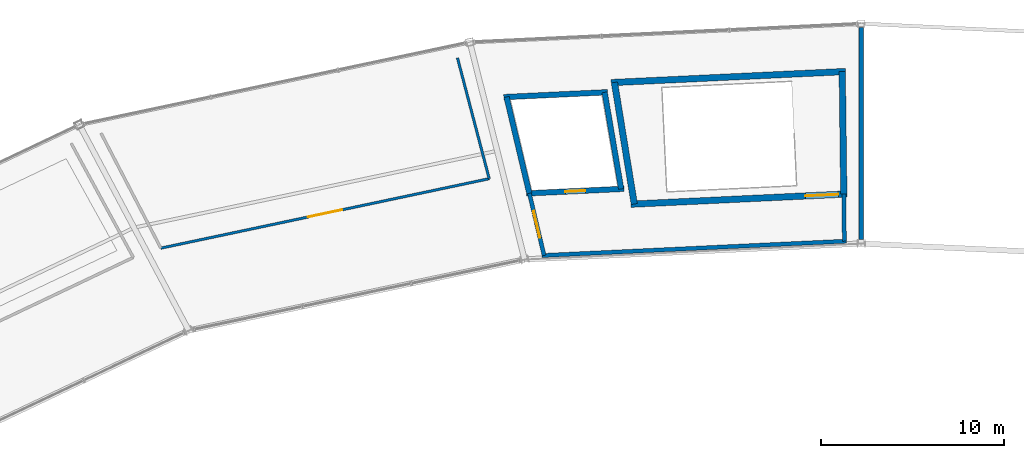
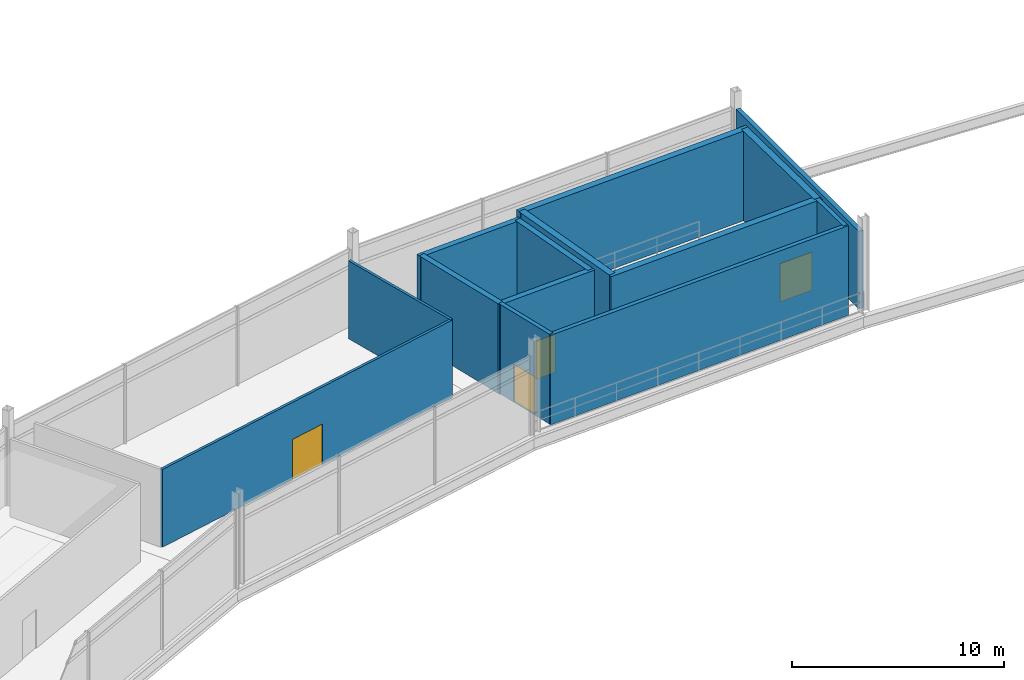
# One storey, part 72 of 86: 14 walls, 4 doors, 4 openings.
"""IFC4 building model written with IfcOpenShell, lengths in metres."""

import ifcopenshell
import ifcopenshell.guid

model = None  # the IFC model being written
_history = None  # IfcOwnerHistory: only IFC2X3 demands one
_inside = {}  # id of a spatial element -> (the spatial element, [elements in it])
_under = {}  # id of a project, library or spatial element -> (it, [spatial elements below it])
_declared = {}  # id of a project -> (the project, [libraries it declares])
_typed = {}  # id of a type object -> (the type object, [elements of that type])
_made_of = {}  # id of a material, layer set ... -> (it, [elements and type objects made of it])


def new_model(schema):
    """Start an empty IFC model of exactly this schema.

    Asked for "IFC4X3", IfcOpenShell would pick the latest addendum, in which some entities
    have other attributes; the version numbers below select the first issue.
    IFC2X3 requires an IfcOwnerHistory on every rooted entity: one is made here for all.
    """
    global model, _history
    if schema == "IFC4X3":
        model = ifcopenshell.file(schema_version=(4, 3, 0, 0))
    else:
        model = ifcopenshell.file(schema=schema)
    _inside.clear()
    _under.clear()
    _declared.clear()
    _typed.clear()
    _made_of.clear()
    _history = None
    if model.schema == "IFC2X3":
        org = make("IfcOrganization", Name="unknown")
        user = make(
            "IfcPersonAndOrganization",
            ThePerson=make("IfcPerson", FamilyName="unknown"),
            TheOrganization=org,
        )
        app = make(
            "IfcApplication",
            ApplicationDeveloper=org,
            Version="unknown",
            ApplicationFullName="unknown",
            ApplicationIdentifier="unknown",
        )
        _history = make(
            "IfcOwnerHistory",
            OwningUser=user,
            OwningApplication=app,
            ChangeAction="ADDED",
            CreationDate=0,
        )
    return model


def make(cls, **values):
    """One entity of the class cls with the attributes given. An attribute that is None is left unset."""
    return model.create_entity(
        cls, **{name: value for name, value in values.items() if value is not None}
    )


def rooted(cls, **values):
    """An entity with a GlobalId (a new one), such as an element, a storey or a relation."""
    return make(cls, GlobalId=ifcopenshell.guid.new(), OwnerHistory=_history, **values)


def si_unit(unit_type, name, prefix=None):
    """IfcSIUnit, for example si_unit("LENGTHUNIT", "METRE", prefix="MILLI")."""
    return make("IfcSIUnit", UnitType=unit_type, Prefix=prefix, Name=name)


def assignment(units):
    """IfcUnitAssignment: the units of a project."""
    return None if units is None else make("IfcUnitAssignment", Units=units)


def point(xyz):
    """IfcCartesianPoint."""
    return None if xyz is None else make("IfcCartesianPoint", Coordinates=xyz)


def direction(xyz):
    """IfcDirection."""
    return None if xyz is None else make("IfcDirection", DirectionRatios=xyz)


def frame(location, z_axis=None, x_axis=None):
    """IfcAxis2Placement3D, a coordinate frame: its origin and axes. An axis left out is left unset."""
    return make(
        "IfcAxis2Placement3D",
        Location=point(location),
        Axis=direction(z_axis),
        RefDirection=direction(x_axis),
    )


def frame_2d(location, x_axis=None):
    """IfcAxis2Placement2D, a coordinate frame in the plane: its origin and x axis."""
    return make(
        "IfcAxis2Placement2D", Location=point(location), RefDirection=direction(x_axis)
    )


def origin():
    """The frame at (0, 0, 0) with its axes left unset."""
    return frame((0.0, 0.0, 0.0))


def place(relative_to, where):
    """IfcLocalPlacement: puts the frame where relative to a parent placement (None: the world)."""
    return make(
        "IfcLocalPlacement", PlacementRelTo=relative_to, RelativePlacement=where
    )


def context(
    kind, dimensions, precision=None, world=None, true_north=None, identifier=None
):
    """IfcGeometricRepresentationContext, for example the 3D "Model" context."""
    return make(
        "IfcGeometricRepresentationContext",
        ContextIdentifier=identifier,
        ContextType=kind,
        CoordinateSpaceDimension=dimensions,
        Precision=precision,
        WorldCoordinateSystem=world,
        TrueNorth=true_north,
    )


def subcontext(parent, identifier, kind, view, scale=None):
    """IfcGeometricRepresentationSubContext, for example "Body" below "Model"."""
    return make(
        "IfcGeometricRepresentationSubContext",
        ContextIdentifier=identifier,
        ContextType=kind,
        ParentContext=parent,
        TargetScale=scale,
        TargetView=view,
    )


def project(units=None, contexts=None):
    """IfcProject with its units and contexts."""
    return rooted(
        "IfcProject",
        Name="project",
        RepresentationContexts=contexts,
        UnitsInContext=assignment(units),
    )


def spatial(cls, under=None, at=None, **own):
    """A site, building, storey or space (cls), placed at a placement, below another one or the project."""
    s = rooted(cls, ObjectPlacement=at, **own)
    if under is not None:
        _under.setdefault(under.id(), (under, []))[1].append(s)
    return s


def profile(cls, at=None, kind="AREA", **sizes):
    """A parametric profile (cls). Its sizes go by their IFC names, for example OverallWidth=200.0."""
    return make(cls, ProfileType=kind, Position=at, **sizes)


def rectangle(**sizes):
    """IfcRectangleProfileDef."""
    return profile("IfcRectangleProfileDef", **sizes)


def extrude(swept, where, along, depth):
    """IfcExtrudedAreaSolid: the profile swept, set in the frame where, extruded along a direction by depth."""
    return make(
        "IfcExtrudedAreaSolid",
        SweptArea=swept,
        Position=where,
        ExtrudedDirection=direction(along),
        Depth=depth,
    )


def shape(context_of_items, identifier, shape_type, items):
    """IfcShapeRepresentation: the items that make up one representation, for example the "Body"."""
    return make(
        "IfcShapeRepresentation",
        ContextOfItems=context_of_items,
        RepresentationIdentifier=identifier,
        RepresentationType=shape_type,
        Items=items,
    )


def material(Name=None, Category=None):
    """IfcMaterial."""
    return make("IfcMaterial", Name=Name, Category=Category)


def layer(
    of_material, thickness, ventilated=None, Name=None, Category=None, Priority=None
):
    """IfcMaterialLayer: one layer of a wall or slab, of a material (None: an air gap)."""
    return make(
        "IfcMaterialLayer",
        Material=of_material,
        LayerThickness=thickness,
        IsVentilated=ventilated,
        Name=Name,
        Category=Category,
        Priority=Priority,
    )


def layer_set(layers, Name=None):
    """IfcMaterialLayerSet."""
    return make("IfcMaterialLayerSet", MaterialLayers=layers, LayerSetName=Name)


def made_of(thing, what):
    """Note that an element or type object is made of a material, layer set ...; save() writes the relation."""
    if what is not None:
        _made_of.setdefault(what.id(), (what, []))[1].append(thing)
    return thing


def type_object(cls, material=None, **own):
    """A type object (cls), such as IfcWallType, which elements share."""
    return made_of(rooted(cls, **own), material)


def element(
    cls,
    number,
    at=None,
    inside=None,
    cuts=None,
    type_object=None,
    material=None,
    context=None,
    identifier="Body",
    shape_type=None,
    held_by="IfcProductDefinitionShape",
    body=None,
    shapes=None,
    **own,
):
    """One element of the class cls, such as IfcWall. Its Tag is "e" and its number.

    at: its placement. inside: the storey or other place that contains it. cuts: it is an
    opening in that element (IfcRelVoidsElement). A single representation is given by context,
    identifier, shape_type and body (its items); several are given by shapes. held_by: the class
    of the entity that holds the representations. save() writes the other relations.
    """
    e = rooted(cls, Tag="e%d" % number, ObjectPlacement=at, **own)
    if body is not None:
        shapes = [shape(context, identifier, shape_type, body)]
    if shapes is not None:
        e.Representation = make(held_by, Representations=shapes)
    if inside is not None:
        _inside.setdefault(inside.id(), (inside, []))[1].append(e)
    if cuts is not None:
        rooted(
            "IfcRelVoidsElement", RelatingBuildingElement=cuts, RelatedOpeningElement=e
        )
    if type_object is not None:
        _typed.setdefault(type_object.id(), (type_object, []))[1].append(e)
    return made_of(e, material)


def fill(opening, filler):
    """IfcRelFillsElement: the door or window that sits in an opening."""
    return rooted(
        "IfcRelFillsElement",
        RelatingOpeningElement=opening,
        RelatedBuildingElement=filler,
    )


def aggregate(whole, parts):
    """IfcRelAggregates: a whole, such as a stair, and the parts it consists of."""
    return rooted("IfcRelAggregates", RelatingObject=whole, RelatedObjects=parts)


def save(model, path):
    """Write the relations noted so far, then the file.

    IfcRelAggregates (storeys below a building ...), IfcRelContainedInSpatialStructure (elements
    in a storey), IfcRelDefinesByType, IfcRelAssociatesMaterial and IfcRelDeclares: one each for
    every whole, place, type object, material and project.
    """
    for whole, parts in _under.values():
        aggregate(whole, parts)
    for where, things in _inside.values():
        rooted(
            "IfcRelContainedInSpatialStructure",
            RelatedElements=things,
            RelatingStructure=where,
        )
    for kind, things in _typed.values():
        rooted("IfcRelDefinesByType", RelatedObjects=things, RelatingType=kind)
    for what, things in _made_of.values():
        rooted("IfcRelAssociatesMaterial", RelatedObjects=things, RelatingMaterial=what)
    for by, libraries in _declared.values():
        rooted("IfcRelDeclares", RelatingContext=by, RelatedDefinitions=libraries)
    model.write(path)


model = new_model("IFC4")

# Units and contexts
model_context = context("Model", 3, precision=1e-05, world=origin(), true_north=direction((0.0, 1.0)))
body_context = subcontext(model_context, "Body", "Model", "MODEL_VIEW")
ifc_project = project(units=[si_unit("LENGTHUNIT", "METRE"), si_unit("AREAUNIT", "SQUARE_METRE"), si_unit("VOLUMEUNIT", "CUBIC_METRE"), si_unit("PLANEANGLEUNIT", "RADIAN"), si_unit("MASSUNIT", "GRAM", prefix="KILO")], contexts=[model_context])

# Site, building, storey
site_placement = place(None, origin())
site = spatial("IfcSite", under=ifc_project, at=site_placement, CompositionType="ELEMENT")
building_placement = place(site_placement, origin())
building = spatial("IfcBuilding", under=site, at=building_placement, Name="Kazemori Nagisa Stadium", CompositionType="ELEMENT")
storey_placement = place(building_placement, frame((0.0, 0.0, 31.280029296875)))
storey = spatial("IfcBuildingStorey", under=building, at=storey_placement, Name="L06", CompositionType="ELEMENT", Elevation=31.280029296875)

# Wall, opening, door
ifc_material_1 = material(Name="Concrete C40/50 (Fc42)", Category="concrete")
ifc_layer_1 = layer(ifc_material_1, 0.35009765625, Name="Concrete C40/50 (Fc42)", Category="concrete")
ifc_layer_set_1 = layer_set([ifc_layer_1], Name="Concrete C40/50 (Fc42)")
wall_type_1 = type_object("IfcWallType", Name="Wall_W-CORE-350", PredefinedType="SHEAR", material=ifc_layer_set_1)
wall_1_placement = place(storey_placement, frame((122.218994140625, 178.675048828125, 0.0), z_axis=(0.0, 0.0, 1.0), x_axis=(-0.998883770468, -0.04723571843, 0.0)))
wall_1 = element("IfcWall", 1, at=wall_1_placement, inside=storey, type_object=wall_type_1, Name="Core stair front shear wall ST05 L06", PredefinedType="SHEAR", context=body_context, shape_type="SweptSolid", body=[
    extrude(rectangle(XDim=11.830810546875, YDim=0.35009765625, at=frame_2d((5.91552734375, 0.0))), origin(), (0.0, 0.0, 1.0), 5.159912109375),
])
opening_1_placement = place(wall_1_placement, frame((0.47509765625, 0.0, 0.0)))
opening_1 = element("IfcOpeningElement", 2, at=opening_1_placement, cuts=wall_1, Name="Opening D-ST-1800", PredefinedType="OPENING", context=body_context, shape_type="SweptSolid", body=[
    extrude(rectangle(XDim=1.800048828125, YDim=2.199951171875, at=frame_2d((0.89990234375, 1.10009765625))), frame((0.0, 0.18505859375, 0.0), z_axis=(0.0, -1.0, 0.0), x_axis=(1.0, 0.0, 0.0)), (0.0, 0.0, 1.0), 0.3701171875),
])
ifc_material_2 = material(Name="Galvanised steel sheet", Category="steel")
door_type_1 = type_object("IfcDoorType", Name="Door_D-ST-1800", OperationType="NOTDEFINED", PredefinedType="DOOR", material=ifc_material_2)
door_1_placement = place(opening_1_placement, frame((1.800048828125, 0.0, 0.0), z_axis=(0.0, 0.0, 1.0), x_axis=(-1.0, 0.0, 0.0)))
door_1 = element("IfcDoor", 3, at=door_1_placement, inside=storey, type_object=door_type_1, Name="Exit stair fire door ST05-L06", OperationType="SINGLE_SWING_LEFT", OverallHeight=2.199951171875, OverallWidth=1.800048828125, PredefinedType="DOOR", context=body_context, shape_type="SweptSolid", body=[
    extrude(rectangle(XDim=1.800048828125, YDim=2.199951171875, at=frame_2d((0.89990234375, 1.10009765625))), frame((0.0, 0.02490234375, 0.0), z_axis=(0.0, -1.0, 0.0), x_axis=(1.0, 0.0, 0.0)), (0.0, 0.0, 1.0), 0.050048828125),
])
fill(opening_1, door_1)

# Walls
wall_2_placement = place(storey_placement, frame((122.135498046875, 185.379150390625, 0.0), z_axis=(0.0, 0.0, 1.0), x_axis=(-0.998884004857, -0.047230761603, 0.0)))
element("IfcWall", 4, at=wall_2_placement, inside=storey, type_object=wall_type_1, Name="Core stair rear shear wall ST05 L06", PredefinedType="SHEAR", context=body_context, shape_type="SweptSolid", body=[
    extrude(rectangle(XDim=12.8349609375, YDim=0.35009765625, at=frame_2d((6.41748046875, 0.0))), origin(), (0.0, 0.0, 1.0), 5.159912109375),
])
wall_3_placement = place(storey_placement, frame((122.04443359375, 178.666748046875, 0.0), z_axis=(0.0, 0.0, 1.0), x_axis=(-0.012489921532, 0.999921997888, 0.0)))
element("IfcWall", 5, at=wall_3_placement, inside=storey, type_object=wall_type_1, Name="Core stair left shear wall ST05 L06", PredefinedType="SHEAR", context=body_context, shape_type="SweptSolid", body=[
    extrude(rectangle(XDim=6.70458984375, YDim=0.35009765625, at=frame_2d((3.352294921875, 0.0))), origin(), (0.0, 0.0, 1.0), 5.159912109375),
])
wall_4_placement = place(storey_placement, frame((110.576171875, 178.12451171875, 0.0), z_axis=(0.0, 0.0, 1.0), x_axis=(-0.161075775241, 0.986942042184, 0.0)))
element("IfcWall", 6, at=wall_4_placement, inside=storey, type_object=wall_type_1, Name="Core stair right shear wall ST05 L06", PredefinedType="SHEAR", context=body_context, shape_type="SweptSolid", body=[
    extrude(rectangle(XDim=6.744873046875, YDim=0.35009765625, at=frame_2d((3.37255859375, 0.0))), origin(), (0.0, 0.0, 1.0), 5.159912109375),
])
ifc_material_3 = material(Name="Steel S355 (SN490B)", Category="steel")
ifc_layer_2 = layer(ifc_material_3, 0.239990234375, Name="Steel S355 (SN490B)", Category="steel")
ifc_layer_set_2 = layer_set([ifc_layer_2], Name="Steel S355 (SN490B)")
wall_type_2 = type_object("IfcWallType", Name="Wall_W-EXT-240", PredefinedType="SOLIDWALL", material=ifc_layer_set_2)
wall_5_placement = place(storey_placement, frame((123.0, 176.179931640625, 0.0), z_axis=(0.0, 0.0, 1.0), x_axis=(0.0, 1.0, 0.0)))
element("IfcWall", 7, at=wall_5_placement, inside=storey, type_object=wall_type_2, Name="Gondola end facade wall L06-B08L", PredefinedType="SOLIDWALL", context=body_context, shape_type="SweptSolid", body=[
    extrude(rectangle(XDim=11.60009765625, YDim=0.239990234375, at=frame_2d((5.800048828125, 0.0))), origin(), (0.0, 0.0, 1.0), 4.4580078125),
])
ifc_material_4 = material(Name="Concrete C36/45 (Fc36)", Category="concrete")
ifc_layer_3 = layer(ifc_material_4, 0.219970703125, Name="Concrete C36/45 (Fc36)", Category="concrete")
ifc_layer_set_3 = layer_set([ifc_layer_3], Name="Concrete C36/45 (Fc36)")
wall_type_3 = type_object("IfcWallType", Name="Wall_W-LOBBY-220", PredefinedType="SOLIDWALL", material=ifc_layer_set_3)
wall_6_placement = place(storey_placement, frame((122.186279296875, 176.093505859375, 0.0), z_axis=(0.0, 0.0, 1.0), x_axis=(-0.998884242682, -0.047225731555, 0.0)))
element("IfcWall", 8, at=wall_6_placement, inside=storey, type_object=wall_type_3, Name="Core lobby fire wall ST05 L06", PredefinedType="SOLIDWALL", context=body_context, shape_type="SweptSolid", body=[
    extrude(rectangle(XDim=16.67724609375, YDim=0.219970703125, at=frame_2d((8.338623046875, 0.0))), origin(), (0.0, 0.0, 1.0), 5.159912109375),
])
wall_7_placement = place(storey_placement, frame((122.076416015625, 176.08837890625, 0.0), z_axis=(0.0, 0.0, 1.0), x_axis=(-0.012403174243, 0.999923077676, 0.0)))
element("IfcWall", 9, at=wall_7_placement, inside=storey, type_object=wall_type_3, Name="Core lobby left wall ST05 L06", PredefinedType="SOLIDWALL", context=body_context, shape_type="SweptSolid", body=[
    extrude(rectangle(XDim=2.57861328125, YDim=0.219970703125, at=frame_2d((1.289306640625, 0.0))), origin(), (0.0, 0.0, 1.0), 5.159912109375),
])

# Wall, opening, door
wall_8_placement = place(storey_placement, frame((105.6376953125, 175.31103515625, 0.0), z_axis=(0.0, 0.0, 1.0), x_axis=(-0.230522067539, 0.973067097572, 0.0)))
wall_8 = element("IfcWall", 10, at=wall_8_placement, inside=storey, type_object=wall_type_3, Name="Core lobby right wall ST05 L06", PredefinedType="SOLIDWALL", context=body_context, shape_type="SweptSolid", body=[
    extrude(rectangle(XDim=3.49609375, YDim=0.219970703125, at=frame_2d((1.748046875, 0.0))), origin(), (0.0, 0.0, 1.0), 5.159912109375),
])
opening_2_placement = place(wall_8_placement, frame((0.998046875, 0.0, 0.0)))
opening_2 = element("IfcOpeningElement", 11, at=opening_2_placement, cuts=wall_8, Name="Opening D-FFL-1500", PredefinedType="OPENING", context=body_context, shape_type="SweptSolid", body=[
    extrude(rectangle(XDim=1.5, YDim=2.199951171875, at=frame_2d((0.75, 1.10009765625))), frame((0.0, 0.119873046875, 0.0), z_axis=(0.0, -1.0, 0.0), x_axis=(1.0, 0.0, 0.0)), (0.0, 0.0, 1.0), 0.239990234375),
])
door_type_2 = type_object("IfcDoorType", Name="Door_D-FFL-1500", OperationType="NOTDEFINED", PredefinedType="DOOR", material=ifc_material_2)
door_2_placement = place(opening_2_placement, origin())
door_2 = element("IfcDoor", 12, at=door_2_placement, inside=storey, type_object=door_type_2, Name="Protected lobby fire door ST05-L06", OperationType="DOUBLE_DOOR_SINGLE_SWING", OverallHeight=2.199951171875, OverallWidth=1.5, PredefinedType="DOOR", context=body_context, shape_type="SweptSolid", body=[
    extrude(rectangle(XDim=1.5, YDim=2.199951171875, at=frame_2d((0.75, 1.10009765625))), frame((0.0, 0.02490234375, 0.0), z_axis=(0.0, -1.0, 0.0), x_axis=(1.0, 0.0, 0.0)), (0.0, 0.0, 1.0), 0.050048828125),
])
fill(opening_2, door_2)

ifc_material_5 = material(Name="Gypsum plasterboard", Category="gypsum")
ifc_layer_4 = layer(ifc_material_5, 0.139892578125, Name="Gypsum plasterboard", Category="gypsum")
ifc_layer_set_4 = layer_set([ifc_layer_4], Name="Gypsum plasterboard")
wall_type_4 = type_object("IfcWallType", Name="Wall_W-PART-140", PredefinedType="PARTITIONING", material=ifc_layer_set_4)
wall_9_placement = place(storey_placement, frame((102.633544921875, 179.5126953125, 0.0), z_axis=(0.0, 0.0, 1.0), x_axis=(-0.978344735835, -0.20698207136, 0.0)))
wall_9 = element("IfcWall", 13, at=wall_9_placement, inside=storey, type_object=wall_type_4, Name="Room corridor partition L06-B09", PredefinedType="PARTITIONING", context=body_context, shape_type="SweptSolid", body=[
    extrude(rectangle(XDim=18.37353515625, YDim=0.139892578125, at=frame_2d((9.186767578125, 0.0))), origin(), (0.0, 0.0, 1.0), 4.47998046875),
])
opening_3_placement = place(wall_9_placement, frame((8.237060546875, 0.0, 0.0)))
opening_3 = element("IfcOpeningElement", 14, at=opening_3_placement, cuts=wall_9, Name="Opening D-PRS-1900", PredefinedType="OPENING", context=body_context, shape_type="SweptSolid", body=[
    extrude(rectangle(XDim=1.89990234375, YDim=2.35009765625, at=frame_2d((0.949951171875, 1.175048828125))), frame((0.0, 0.079833984375, 0.0), z_axis=(0.0, -1.0, 0.0), x_axis=(1.0, 0.0, 0.0)), (0.0, 0.0, 1.0), 0.159912109375),
])
ifc_material_6 = material(Name="Oak timber veneer", Category="wood")
door_type_3 = type_object("IfcDoorType", Name="Door_D-PRS-1900", OperationType="NOTDEFINED", PredefinedType="DOOR", material=ifc_material_6)
door_3_placement = place(opening_3_placement, origin())
door_3 = element("IfcDoor", 15, at=door_3_placement, inside=storey, type_object=door_type_3, Name="Room entrance door D-PRS-1900 L06-B09", OperationType="DOUBLE_DOOR_SINGLE_SWING", OverallHeight=2.35009765625, OverallWidth=1.89990234375, PredefinedType="DOOR", context=body_context, shape_type="SweptSolid", body=[
    extrude(rectangle(XDim=1.89990234375, YDim=2.35009765625, at=frame_2d((0.949951171875, 1.175048828125))), frame((0.0, 0.02490234375, 0.0), z_axis=(0.0, -1.0, 0.0), x_axis=(1.0, 0.0, 0.0)), (0.0, 0.0, 1.0), 0.050048828125),
])
fill(opening_3, door_3)

# Wall
wall_10_placement = place(storey_placement, frame((102.633544921875, 179.5126953125, 0.0), z_axis=(0.0, 0.0, 1.0), x_axis=(-0.254126047026, 0.967171108038, 0.0)))
element("IfcWall", 16, at=wall_10_placement, inside=storey, type_object=wall_type_4, Name="Room radial partition L06-B09-L", PredefinedType="PARTITIONING", context=body_context, shape_type="SweptSolid", body=[
    extrude(rectangle(XDim=6.83935546875, YDim=0.139892578125, at=frame_2d((3.419677734375, 0.0))), origin(), (0.0, 0.0, 1.0), 4.47998046875),
])

# Wall, opening, door
ifc_layer_5 = layer(ifc_material_1, 0.300048828125, Name="Concrete C40/50 (Fc42)", Category="concrete")
ifc_layer_set_5 = layer_set([ifc_layer_5], Name="Concrete C40/50 (Fc42)")
wall_type_5 = type_object("IfcWallType", Name="Wall_W-SHAFT-300", PredefinedType="SHEAR", material=ifc_layer_set_5)
wall_11_placement = place(storey_placement, frame((110.007080078125, 178.95751953125, 0.0), z_axis=(0.0, 0.0, 1.0), x_axis=(-0.998884655258, -0.047217004244, 0.0)))
wall_11 = element("IfcWall", 17, at=wall_11_placement, inside=storey, type_object=wall_type_5, Name="Lift shaft front wall LP1 L06", PredefinedType="SHEAR", context=body_context, shape_type="SweptSolid", body=[
    extrude(rectangle(XDim=5.330810546875, YDim=0.300048828125, at=frame_2d((2.66552734375, 0.0))), origin(), (0.0, 0.0, 1.0), 5.159912109375),
])
opening_4_placement = place(wall_11_placement, frame((2.114990234375, 0.0, 0.0)))
opening_4 = element("IfcOpeningElement", 18, at=opening_4_placement, cuts=wall_11, Name="Opening LD-PAX", PredefinedType="OPENING", context=body_context, shape_type="SweptSolid", body=[
    extrude(rectangle(XDim=1.10009765625, YDim=2.199951171875, at=frame_2d((0.550048828125, 1.10009765625))), frame((0.0, 0.159912109375, 0.0), z_axis=(0.0, -1.0, 0.0), x_axis=(1.0, 0.0, 0.0)), (0.0, 0.0, 1.0), 0.320068359375),
])
ifc_material_7 = material(Name="Stainless steel SUS304", Category="steel")
door_type_4 = type_object("IfcDoorType", Name="Door_LD-PAX", OperationType="SLIDING_TO_RIGHT", PredefinedType="DOOR", material=ifc_material_7)
door_4_placement = place(opening_4_placement, origin())
door_4 = element("IfcDoor", 19, at=door_4_placement, inside=storey, type_object=door_type_4, Name="Lift landing door LP1-L06", OperationType="SLIDING_TO_RIGHT", OverallHeight=2.199951171875, OverallWidth=1.10009765625, PredefinedType="DOOR", context=body_context, shape_type="SweptSolid", body=[
    extrude(rectangle(XDim=1.10009765625, YDim=2.199951171875, at=frame_2d((0.550048828125, 1.10009765625))), frame((0.0, 0.02490234375, 0.0), z_axis=(0.0, -1.0, 0.0), x_axis=(1.0, 0.0, 0.0)), (0.0, 0.0, 1.0), 0.050048828125),
])
fill(opening_4, door_4)

# Walls
wall_12_placement = place(storey_placement, frame((109.103515625, 184.246826171875, 0.0), z_axis=(0.0, 0.0, 1.0), x_axis=(-0.998884329444, -0.047223896393, 0.0)))
element("IfcWall", 20, at=wall_12_placement, inside=storey, type_object=wall_type_5, Name="Lift shaft B wall LP1 L06", PredefinedType="SHEAR", context=body_context, shape_type="SweptSolid", body=[
    extrude(rectangle(XDim=5.676513671875, YDim=0.300048828125, at=frame_2d((2.83837890625, 0.0))), origin(), (0.0, 0.0, 1.0), 5.159912109375),
])
wall_13_placement = place(storey_placement, frame((109.857177734375, 178.95068359375, 0.0), z_axis=(0.0, 0.0, 1.0), x_axis=(-0.168396746868, 0.985719298606, 0.0)))
element("IfcWall", 21, at=wall_13_placement, inside=storey, type_object=wall_type_5, Name="Lift shaft L wall LP1 L06", PredefinedType="SHEAR", context=body_context, shape_type="SweptSolid", body=[
    extrude(rectangle(XDim=5.36572265625, YDim=0.300048828125, at=frame_2d((2.682861328125, 0.0))), origin(), (0.0, 0.0, 1.0), 5.159912109375),
])
wall_14_placement = place(storey_placement, frame((104.831787109375, 178.712890625, 0.0), z_axis=(0.0, 0.0, 1.0), x_axis=(-0.230452911873, 0.97308347813, 0.0)))
element("IfcWall", 22, at=wall_14_placement, inside=storey, type_object=wall_type_5, Name="Lift shaft R wall LP1 L06", PredefinedType="SHEAR", context=body_context, shape_type="SweptSolid", body=[
    extrude(rectangle(XDim=5.418701171875, YDim=0.300048828125, at=frame_2d((2.70947265625, 0.0))), origin(), (0.0, 0.0, 1.0), 5.159912109375),
])

save(model, "model.ifc")
